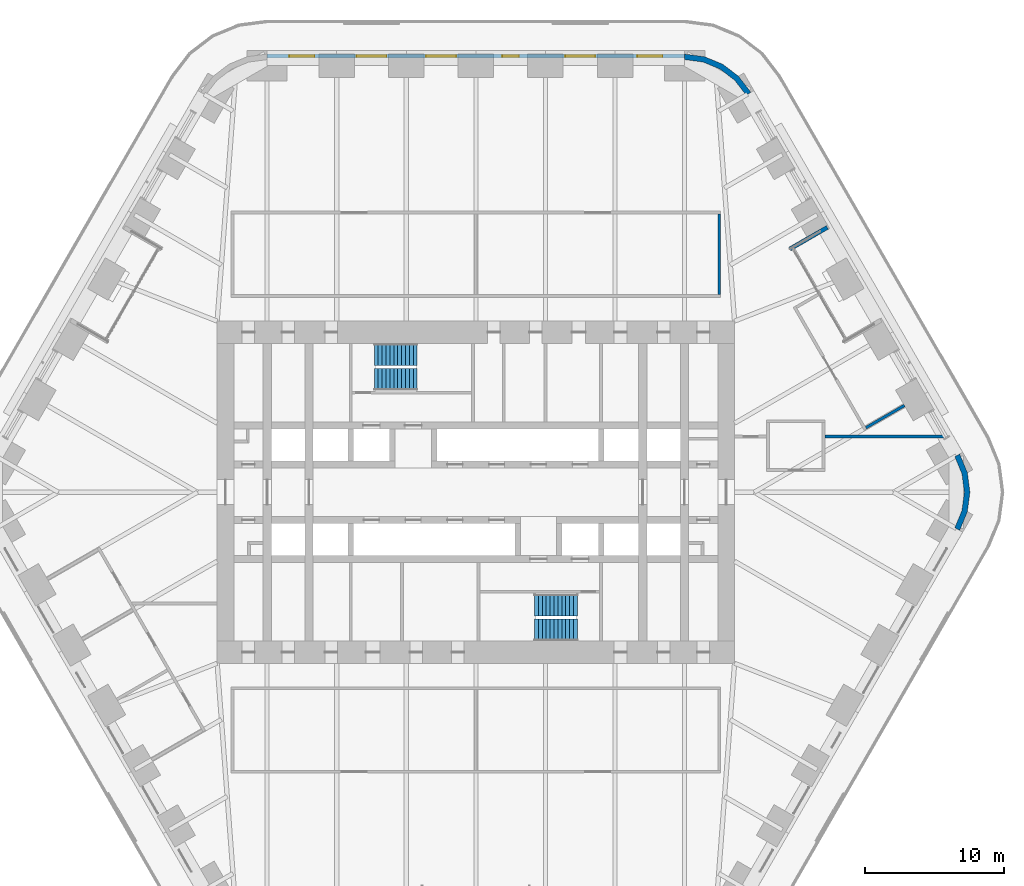
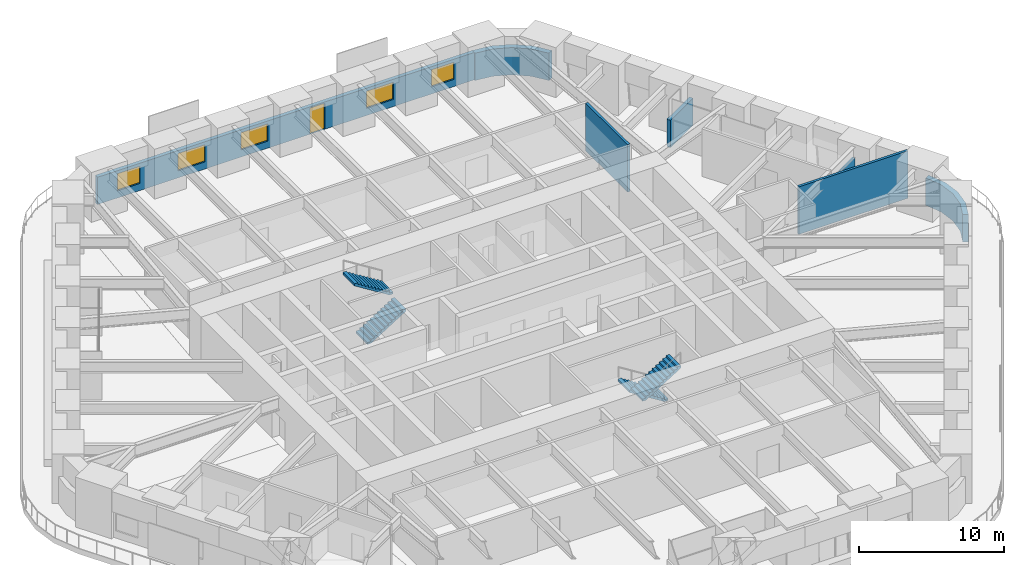
# One storey, part 21 of 24: 7 walls, 5 windows, 4 stair flights, 1 door, 6 openings, 2 elements without a shape of their own.
"""IFC4 building model written with IfcOpenShell, lengths in metres."""

from ifc_helpers import new_model, si_unit, direction, frame, frame_2d, origin, place, context, subcontext, project, spatial, polyline, rectangle, outline, extrude, material, layer, layer_set, type_object, element, fill, aggregate, save


model = new_model("IFC4")

# Units and contexts
model_context = context("Model", 3, precision=1e-05, world=origin(), true_north=direction((0.0, 1.0)))
body_context = subcontext(model_context, "Body", "Model", "MODEL_VIEW")
ifc_project = project(units=[si_unit("LENGTHUNIT", "METRE"), si_unit("AREAUNIT", "SQUARE_METRE"), si_unit("VOLUMEUNIT", "CUBIC_METRE"), si_unit("PLANEANGLEUNIT", "RADIAN"), si_unit("MASSUNIT", "GRAM", prefix="KILO")], contexts=[model_context])

# Site, building, storey
site_placement = place(None, origin())
site = spatial("IfcSite", under=ifc_project, at=site_placement, CompositionType="ELEMENT")
building_placement = place(site_placement, origin())
building = spatial("IfcBuilding", under=site, at=building_placement, Name="Tarfa Lantern Tower", CompositionType="ELEMENT")
storey_placement = place(building_placement, frame((0.0, 0.0, 119.5)))
storey = spatial("IfcBuildingStorey", under=building, at=storey_placement, Name="L26", CompositionType="ELEMENT", Elevation=119.5)

# Wall
ifc_material_1 = material(Name="Limestone cladding on blockwork", Category="masonry")
ifc_layer_1 = layer(ifc_material_1, 0.300048828125)
ifc_layer_set_1 = layer_set([ifc_layer_1], Name="EW1 STONE-CLAD WALL 300")
wall_type_1 = type_object("IfcWallType", Name="EW1 STONE-CLAD WALL 300", PredefinedType="SOLIDWALL", material=ifc_layer_set_1)
wall_1_placement = place(storey_placement, frame((25.266357421875, 19.037353515625, 0.0), z_axis=(0.0, 0.0, 1.0), x_axis=(-0.86600983753, -0.500026960575, 0.0)))
element("IfcWall", 1, at=wall_1_placement, inside=storey, type_object=wall_type_1, Name="Loggia return NE 2", PredefinedType="SOLIDWALL", context=body_context, shape_type="SweptSolid", body=[
    extrude(rectangle(XDim=3.099853515625, YDim=0.300048828125, at=frame_2d((1.5498046875, 0.0))), origin(), (0.0, 0.0, 1.0), 2.300048828125),
])

# Wall, openings, door, windows
wall_2_placement = place(storey_placement, frame((15.010986328125, 31.35009765625, 0.0), z_axis=(0.0, 0.0, 1.0), x_axis=(-1.0, 0.0, 0.0)))
wall_2 = element("IfcWall", 2, at=wall_2_placement, inside=storey, type_object=wall_type_1, Name="Stone wall N", PredefinedType="SOLIDWALL", context=body_context, shape_type="SweptSolid", body=[
    extrude(rectangle(XDim=30.02197265625, YDim=0.300048828125, at=frame_2d((15.010986328125, 0.0))), origin(), (0.0, 0.0, 1.0), 2.300048828125),
])
opening_1_placement = place(wall_2_placement, frame((1.601806640625, 0.0, 0.60009765625)))
opening_1 = element("IfcOpeningElement", 3, at=opening_1_placement, cuts=wall_2, Name="Opening W6", PredefinedType="OPENING", context=body_context, shape_type="SweptSolid", body=[
    extrude(rectangle(XDim=1.800048828125, YDim=1.449951171875, at=frame_2d((0.89990234375, 0.72509765625))), frame((0.0, 0.159912109375, 0.0), z_axis=(0.0, -1.0, 0.0), x_axis=(1.0, 0.0, 0.0)), (0.0, 0.0, 1.0), 0.320068359375),
])
opening_2_placement = place(wall_2_placement, frame((6.4306640625, 0.0, 0.60009765625)))
opening_2 = element("IfcOpeningElement", 4, at=opening_2_placement, cuts=wall_2, Name="Opening W7", PredefinedType="OPENING", context=body_context, shape_type="SweptSolid", body=[
    extrude(rectangle(XDim=2.14990234375, YDim=1.449951171875, at=frame_2d((1.074951171875, 0.72509765625))), frame((0.0, 0.159912109375, 0.0), z_axis=(0.0, -1.0, 0.0), x_axis=(1.0, 0.0, 0.0)), (0.0, 0.0, 1.0), 0.320068359375),
])
opening_3_placement = place(wall_2_placement, frame((11.9091796875, 0.0, 0.0)))
opening_3 = element("IfcOpeningElement", 5, at=opening_3_placement, cuts=wall_2, Name="Opening D43", PredefinedType="OPENING", context=body_context, shape_type="SweptSolid", body=[
    extrude(rectangle(XDim=1.199951171875, YDim=2.199951171875, at=frame_2d((0.60009765625, 1.10009765625))), frame((0.0, 0.159912109375, 0.0), z_axis=(0.0, -1.0, 0.0), x_axis=(1.0, 0.0, 0.0)), (0.0, 0.0, 1.0), 0.320068359375),
])
opening_4_placement = place(wall_2_placement, frame((16.43798828125, 0.0, 0.60009765625)))
opening_4 = element("IfcOpeningElement", 6, at=opening_4_placement, cuts=wall_2, Name="Opening W7", PredefinedType="OPENING", context=body_context, shape_type="SweptSolid", body=[
    extrude(rectangle(XDim=2.14990234375, YDim=1.449951171875, at=frame_2d((1.074951171875, 0.72509765625))), frame((0.0, 0.159912109375, 0.0), z_axis=(0.0, -1.0, 0.0), x_axis=(1.0, 0.0, 0.0)), (0.0, 0.0, 1.0), 0.320068359375),
])
opening_5_placement = place(wall_2_placement, frame((21.441650390625, 0.0, 0.60009765625)))
opening_5 = element("IfcOpeningElement", 7, at=opening_5_placement, cuts=wall_2, Name="Opening W7", PredefinedType="OPENING", context=body_context, shape_type="SweptSolid", body=[
    extrude(rectangle(XDim=2.14990234375, YDim=1.449951171875, at=frame_2d((1.074951171875, 0.72509765625))), frame((0.0, 0.159912109375, 0.0), z_axis=(0.0, -1.0, 0.0), x_axis=(1.0, 0.0, 0.0)), (0.0, 0.0, 1.0), 0.320068359375),
])
opening_6_placement = place(wall_2_placement, frame((26.620361328125, 0.0, 0.60009765625)))
opening_6 = element("IfcOpeningElement", 8, at=opening_6_placement, cuts=wall_2, Name="Opening W6", PredefinedType="OPENING", context=body_context, shape_type="SweptSolid", body=[
    extrude(rectangle(XDim=1.800048828125, YDim=1.449951171875, at=frame_2d((0.89990234375, 0.72509765625))), frame((0.0, 0.159912109375, 0.0), z_axis=(0.0, -1.0, 0.0), x_axis=(1.0, 0.0, 0.0)), (0.0, 0.0, 1.0), 0.320068359375),
])
ifc_material_2 = material(Name="Aluminium framed glazed door", Category="aluminium")
door_type = type_object("IfcDoorType", Name="BE5 BALCONY DOOR 1200x2200", OperationType="SINGLE_SWING_RIGHT", PredefinedType="DOOR", material=ifc_material_2)
door_placement = place(opening_3_placement, origin())
door = element("IfcDoor", 9, at=door_placement, inside=storey, type_object=door_type, Name="Balcony door N", OperationType="SINGLE_SWING_RIGHT", OverallHeight=2.199951171875, OverallWidth=1.199951171875, PredefinedType="DOOR", context=body_context, shape_type="SweptSolid", body=[
    extrude(rectangle(XDim=1.199951171875, YDim=2.199951171875, at=frame_2d((0.60009765625, 1.10009765625))), frame((0.0, 0.02490234375, 0.0), z_axis=(0.0, -1.0, 0.0), x_axis=(1.0, 0.0, 0.0)), (0.0, 0.0, 1.0), 0.050048828125),
])
fill(opening_3, door)
ifc_material_3 = material(Name="Aluminium frame, double glazed", Category="aluminium")
window_type_1 = type_object("IfcWindowType", Name="W6 FULL-HEIGHT GLAZING 1800x1450", PartitioningType="SINGLE_PANEL", PredefinedType="WINDOW", material=ifc_material_3)
window_1_placement = place(opening_1_placement, origin())
window_1 = element("IfcWindow", 10, at=window_1_placement, inside=storey, type_object=window_type_1, Name="Window N 1", OverallHeight=1.449951171875, OverallWidth=1.800048828125, PartitioningType="SINGLE_PANEL", PredefinedType="WINDOW", context=body_context, shape_type="SweptSolid", body=[
    extrude(rectangle(XDim=1.800048828125, YDim=1.449951171875, at=frame_2d((0.89990234375, 0.72509765625))), frame((0.0, 0.030029296875, 0.0), z_axis=(0.0, -1.0, 0.0), x_axis=(1.0, 0.0, 0.0)), (0.0, 0.0, 1.0), 0.06005859375),
])
fill(opening_1, window_1)
window_2_placement = place(opening_6_placement, origin())
window_2 = element("IfcWindow", 11, at=window_2_placement, inside=storey, type_object=window_type_1, Name="Window N 6", OverallHeight=1.449951171875, OverallWidth=1.800048828125, PartitioningType="SINGLE_PANEL", PredefinedType="WINDOW", context=body_context, shape_type="SweptSolid", body=[
    extrude(rectangle(XDim=1.800048828125, YDim=1.449951171875, at=frame_2d((0.89990234375, 0.72509765625))), frame((0.0, 0.030029296875, 0.0), z_axis=(0.0, -1.0, 0.0), x_axis=(1.0, 0.0, 0.0)), (0.0, 0.0, 1.0), 0.06005859375),
])
fill(opening_6, window_2)
window_type_2 = type_object("IfcWindowType", Name="W7 FULL-HEIGHT GLAZING 2150x1450", PartitioningType="SINGLE_PANEL", PredefinedType="WINDOW", material=ifc_material_3)
window_3_placement = place(opening_2_placement, origin())
window_3 = element("IfcWindow", 12, at=window_3_placement, inside=storey, type_object=window_type_2, Name="Window N 2", OverallHeight=1.449951171875, OverallWidth=2.14990234375, PartitioningType="SINGLE_PANEL", PredefinedType="WINDOW", context=body_context, shape_type="SweptSolid", body=[
    extrude(rectangle(XDim=2.14990234375, YDim=1.449951171875, at=frame_2d((1.074951171875, 0.72509765625))), frame((0.0, 0.030029296875, 0.0), z_axis=(0.0, -1.0, 0.0), x_axis=(1.0, 0.0, 0.0)), (0.0, 0.0, 1.0), 0.06005859375),
])
fill(opening_2, window_3)
window_4_placement = place(opening_4_placement, origin())
window_4 = element("IfcWindow", 13, at=window_4_placement, inside=storey, type_object=window_type_2, Name="Window N 4", OverallHeight=1.449951171875, OverallWidth=2.14990234375, PartitioningType="SINGLE_PANEL", PredefinedType="WINDOW", context=body_context, shape_type="SweptSolid", body=[
    extrude(rectangle(XDim=2.14990234375, YDim=1.449951171875, at=frame_2d((1.074951171875, 0.72509765625))), frame((0.0, 0.030029296875, 0.0), z_axis=(0.0, -1.0, 0.0), x_axis=(1.0, 0.0, 0.0)), (0.0, 0.0, 1.0), 0.06005859375),
])
fill(opening_4, window_4)
window_5_placement = place(opening_5_placement, origin())
window_5 = element("IfcWindow", 14, at=window_5_placement, inside=storey, type_object=window_type_2, Name="Window N 5", OverallHeight=1.449951171875, OverallWidth=2.14990234375, PartitioningType="SINGLE_PANEL", PredefinedType="WINDOW", context=body_context, shape_type="SweptSolid", body=[
    extrude(rectangle(XDim=2.14990234375, YDim=1.449951171875, at=frame_2d((1.074951171875, 0.72509765625))), frame((0.0, 0.030029296875, 0.0), z_axis=(0.0, -1.0, 0.0), x_axis=(1.0, 0.0, 0.0)), (0.0, 0.0, 1.0), 0.06005859375),
])
fill(opening_5, window_5)

# Walls
ifc_layer_2 = layer(ifc_material_1, 0.39990234375)
ifc_layer_set_2 = layer_set([ifc_layer_2], Name="EW2 CURVED STONE CORNER 400")
wall_type_2 = type_object("IfcWallType", Name="EW2 CURVED STONE CORNER 400", PredefinedType="SOLIDWALL", material=ifc_layer_set_2)
wall_3_placement = place(storey_placement, origin())
element("IfcWall", 15, at=wall_3_placement, inside=storey, type_object=wall_type_2, Name="Stone corner NE-N", PredefinedType="SOLIDWALL", context=body_context, shape_type="SweptSolid", body=[
    extrude(outline(polyline([(19.774169921875, 28.75), (18.900146484375, 29.88916015625), (17.760986328125, 30.76318359375), (16.4345703125, 31.3125), (15.010986328125, 31.5), (15.010986328125, 31.10009765625), (16.3310546875, 30.92626953125), (17.56103515625, 30.416748046875), (18.617431640625, 29.606201171875), (19.427734375, 28.550048828125), (19.774169921875, 28.75)])), origin(), (0.0, 0.0, 1.0), 2.300048828125),
])
wall_4_placement = place(storey_placement, origin())
element("IfcWall", 16, at=wall_4_placement, inside=storey, type_object=wall_type_2, Name="Stone corner SE-NE", PredefinedType="SOLIDWALL", context=body_context, shape_type="SweptSolid", body=[
    extrude(outline(polyline([(34.785400390625, -2.75), (35.334716796875, -1.423583984375), (35.522216796875, 0.0), (35.334716796875, 1.423583984375), (34.785400390625, 2.75), (34.43896484375, 2.550048828125), (34.948486328125, 1.320068359375), (35.122314453125, 0.0), (34.948486328125, -1.320068359375), (34.43896484375, -2.550048828125), (34.785400390625, -2.75)])), origin(), (0.0, 0.0, 1.0), 2.300048828125),
])
ifc_material_4 = material(Name="Gypsum board on steel studs", Category="steel")
ifc_layer_3 = layer(ifc_material_4, 0.2099609375)
ifc_layer_set_3 = layer_set([ifc_layer_3], Name="IW2 ACOUSTIC PARTITION 200")
wall_type_3 = type_object("IfcWallType", Name="IW2 ACOUSTIC PARTITION 200", PredefinedType="PARTITIONING", material=ifc_layer_set_3)
wall_5_placement = place(storey_placement, frame((17.5, 14.199951171875, 0.0), z_axis=(0.0, 0.0, 1.0), x_axis=(0.0, 1.0, 0.0)))
element("IfcWall", 17, at=wall_5_placement, inside=storey, type_object=wall_type_3, Name="Partition", PredefinedType="PARTITIONING", context=body_context, shape_type="SweptSolid", body=[
    extrude(rectangle(XDim=5.800048828125, YDim=0.199951171875, at=frame_2d((2.89990234375, 0.0))), origin(), (0.0, 0.0, 1.0), 4.0),
])
wall_6_placement = place(storey_placement, frame((28.0400390625, 4.63330078125, 0.0), z_axis=(0.0, 0.0, 1.0), x_axis=(0.866008981251, 0.500028443584, 0.0)))
element("IfcWall", 18, at=wall_6_placement, inside=storey, type_object=wall_type_3, Name="Partition", PredefinedType="PARTITIONING", context=body_context, shape_type="SweptSolid", body=[
    extrude(rectangle(XDim=3.199951171875, YDim=0.199951171875, at=frame_2d((1.60009765625, 0.0))), origin(), (0.0, 0.0, 1.0), 3.08154296875),
])
wall_7_placement = place(storey_placement, frame((25.10009765625, 4.0, 0.0), z_axis=(0.0, 0.0, 1.0), x_axis=(1.0, 0.0, 0.0)))
element("IfcWall", 19, at=wall_7_placement, inside=storey, type_object=wall_type_3, Name="Partition", PredefinedType="PARTITIONING", context=body_context, shape_type="SweptSolid", body=[
    extrude(rectangle(XDim=8.70947265625, YDim=0.199951171875, at=frame_2d((4.354736328125, 0.0))), origin(), (0.0, 0.0, 1.0), 4.0),
])

# Stair, stair flights
ifc_material_5 = material(Name="Concrete C40/50", Category="concrete")
stair_type = type_object("IfcStairType", Name="ST-T10 HALF-TURN STAIR 4200 RISE", PredefinedType="HALF_TURN_STAIR", material=ifc_material_5)
stair_1_placement = place(storey_placement, origin())
stair_1 = element("IfcStair", 20, at=stair_1_placement, inside=storey, type_object=stair_type, Name="Stair ST1", PredefinedType="HALF_TURN_STAIR")
stair_flight_type = type_object("IfcStairFlightType", Name="SF1 STAIR FLIGHT", PredefinedType="STRAIGHT", material=ifc_material_5)
stair_flight_1_placement = place(storey_placement, frame((-7.300048828125, 8.10009765625, 0.0), z_axis=(0.0, 0.0, 1.0), x_axis=(1.0, 0.0, 0.0)))
stair_flight_1 = element("IfcStairFlight", 21, at=stair_flight_1_placement, type_object=stair_flight_type, Name="ST1 flight 1", NumberOfRisers=12, NumberOfTreads=11, PredefinedType="STRAIGHT", RiserHeight=0.175, TreadLength=0.28, context=body_context, shape_type="SweptSolid", body=[
    extrude(outline(polyline([(0.0, 0.0), (0.0, 0.175048828125), (0.280029296875, 0.175048828125), (0.280029296875, 0.35009765625), (0.56005859375, 0.35009765625), (0.56005859375, 0.52490234375), (0.840087890625, 0.52490234375), (0.840087890625, 0.699951171875), (1.1201171875, 0.699951171875), (1.1201171875, 0.875), (1.39990234375, 0.875), (1.39990234375, 1.050048828125), (1.679931640625, 1.050048828125), (1.679931640625, 1.22509765625), (1.9599609375, 1.22509765625), (1.9599609375, 1.39990234375), (2.239990234375, 1.39990234375), (2.239990234375, 1.574951171875), (2.52001953125, 1.574951171875), (2.52001953125, 1.75), (2.800048828125, 1.75), (2.800048828125, 1.925048828125), (3.080078125, 1.925048828125), (3.080078125, 2.10009765625), (3.080078125, 1.748291015625), (0.28271484375, 0.0), (0.0, 0.0)])), frame((0.0, 0.800048828125, 0.0), z_axis=(0.0, -1.0, 0.0), x_axis=(1.0, 0.0, 0.0)), (0.0, 0.0, 1.0), 1.60009765625),
])
stair_flight_2_placement = place(storey_placement, frame((-4.219970703125, 9.89990234375, 2.10009765625), z_axis=(0.0, 0.0, 1.0), x_axis=(-1.0, 0.0, 0.0)))
stair_flight_2 = element("IfcStairFlight", 22, at=stair_flight_2_placement, type_object=stair_flight_type, Name="ST1 flight 2", NumberOfRisers=12, NumberOfTreads=11, PredefinedType="STRAIGHT", RiserHeight=0.175, TreadLength=0.28, context=body_context, shape_type="SweptSolid", body=[
    extrude(outline(polyline([(0.0, 0.0), (0.0, 0.175048828125), (0.280029296875, 0.175048828125), (0.280029296875, 0.35009765625), (0.56005859375, 0.35009765625), (0.56005859375, 0.52490234375), (0.840087890625, 0.52490234375), (0.840087890625, 0.699951171875), (1.1201171875, 0.699951171875), (1.1201171875, 0.875), (1.39990234375, 0.875), (1.39990234375, 1.050048828125), (1.679931640625, 1.050048828125), (1.679931640625, 1.22509765625), (1.9599609375, 1.22509765625), (1.9599609375, 1.39990234375), (2.239990234375, 1.39990234375), (2.239990234375, 1.574951171875), (2.52001953125, 1.574951171875), (2.52001953125, 1.75), (2.800048828125, 1.75), (2.800048828125, 1.925048828125), (3.080078125, 1.925048828125), (3.080078125, 2.10009765625), (3.080078125, 1.748291015625), (0.28271484375, 0.0), (0.0, 0.0)])), frame((0.0, 0.800048828125, 0.0), z_axis=(0.0, -1.0, 0.0), x_axis=(1.0, 0.0, 0.0)), (0.0, 0.0, 1.0), 1.60009765625),
])
aggregate(stair_1, [stair_flight_1, stair_flight_2])

stair_2_placement = place(storey_placement, origin())
stair_2 = element("IfcStair", 23, at=stair_2_placement, inside=storey, type_object=stair_type, Name="Stair ST2", PredefinedType="HALF_TURN_STAIR")
stair_flight_3_placement = place(storey_placement, frame((7.300048828125, -8.10009765625, 0.0), z_axis=(0.0, 0.0, 1.0), x_axis=(-1.0, 0.0, 0.0)))
stair_flight_3 = element("IfcStairFlight", 24, at=stair_flight_3_placement, type_object=stair_flight_type, Name="ST2 flight 1", NumberOfRisers=12, NumberOfTreads=11, PredefinedType="STRAIGHT", RiserHeight=0.175, TreadLength=0.28, context=body_context, shape_type="SweptSolid", body=[
    extrude(outline(polyline([(0.0, 0.0), (0.0, 0.175048828125), (0.280029296875, 0.175048828125), (0.280029296875, 0.35009765625), (0.56005859375, 0.35009765625), (0.56005859375, 0.52490234375), (0.840087890625, 0.52490234375), (0.840087890625, 0.699951171875), (1.1201171875, 0.699951171875), (1.1201171875, 0.875), (1.39990234375, 0.875), (1.39990234375, 1.050048828125), (1.679931640625, 1.050048828125), (1.679931640625, 1.22509765625), (1.9599609375, 1.22509765625), (1.9599609375, 1.39990234375), (2.239990234375, 1.39990234375), (2.239990234375, 1.574951171875), (2.52001953125, 1.574951171875), (2.52001953125, 1.75), (2.800048828125, 1.75), (2.800048828125, 1.925048828125), (3.080078125, 1.925048828125), (3.080078125, 2.10009765625), (3.080078125, 1.748291015625), (0.28271484375, 0.0), (0.0, 0.0)])), frame((0.0, 0.800048828125, 0.0), z_axis=(0.0, -1.0, 0.0), x_axis=(1.0, 0.0, 0.0)), (0.0, 0.0, 1.0), 1.60009765625),
])
stair_flight_4_placement = place(storey_placement, frame((4.219970703125, -9.89990234375, 2.10009765625), z_axis=(0.0, 0.0, 1.0), x_axis=(1.0, 0.0, 0.0)))
stair_flight_4 = element("IfcStairFlight", 25, at=stair_flight_4_placement, type_object=stair_flight_type, Name="ST2 flight 2", NumberOfRisers=12, NumberOfTreads=11, PredefinedType="STRAIGHT", RiserHeight=0.175, TreadLength=0.28, context=body_context, shape_type="SweptSolid", body=[
    extrude(outline(polyline([(0.0, 0.0), (0.0, 0.175048828125), (0.280029296875, 0.175048828125), (0.280029296875, 0.35009765625), (0.56005859375, 0.35009765625), (0.56005859375, 0.52490234375), (0.840087890625, 0.52490234375), (0.840087890625, 0.699951171875), (1.1201171875, 0.699951171875), (1.1201171875, 0.875), (1.39990234375, 0.875), (1.39990234375, 1.050048828125), (1.679931640625, 1.050048828125), (1.679931640625, 1.22509765625), (1.9599609375, 1.22509765625), (1.9599609375, 1.39990234375), (2.239990234375, 1.39990234375), (2.239990234375, 1.574951171875), (2.52001953125, 1.574951171875), (2.52001953125, 1.75), (2.800048828125, 1.75), (2.800048828125, 1.925048828125), (3.080078125, 1.925048828125), (3.080078125, 2.10009765625), (3.080078125, 1.748291015625), (0.28271484375, 0.0), (0.0, 0.0)])), frame((0.0, 0.800048828125, 0.0), z_axis=(0.0, -1.0, 0.0), x_axis=(1.0, 0.0, 0.0)), (0.0, 0.0, 1.0), 1.60009765625),
])
aggregate(stair_2, [stair_flight_3, stair_flight_4])

save(model, "model.ifc")
